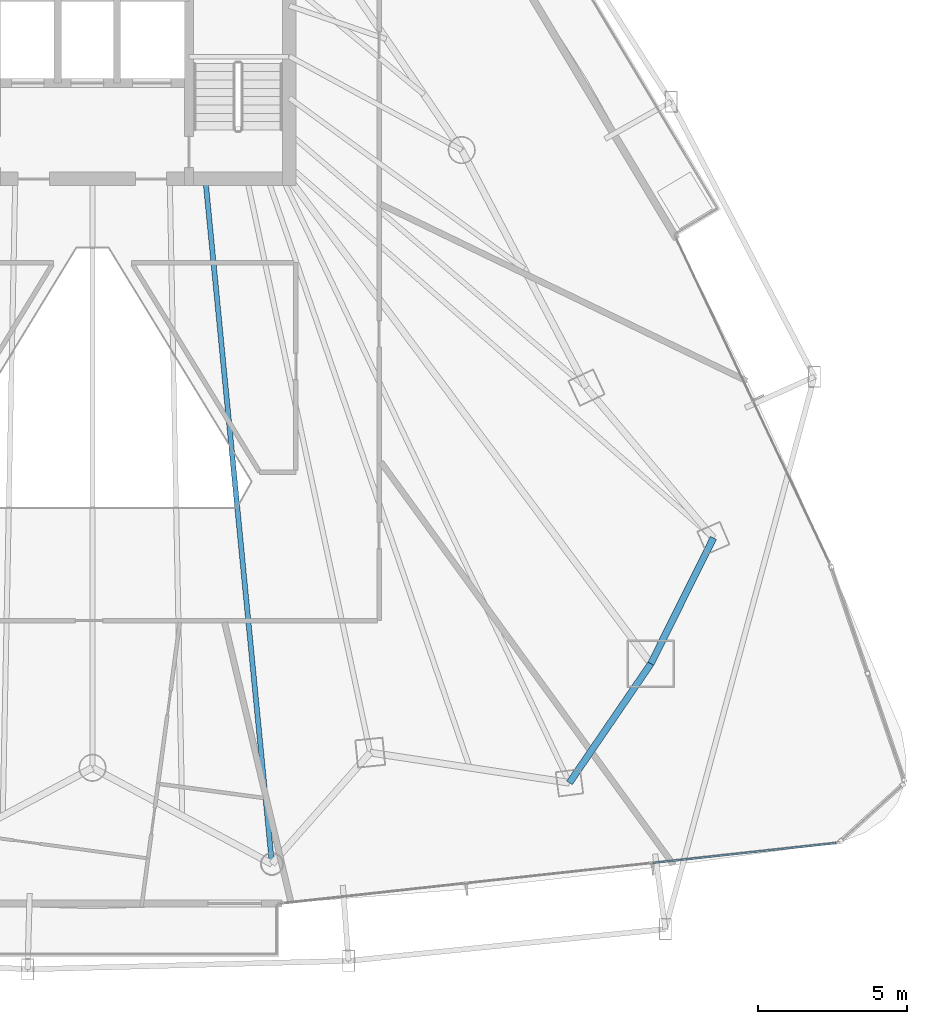
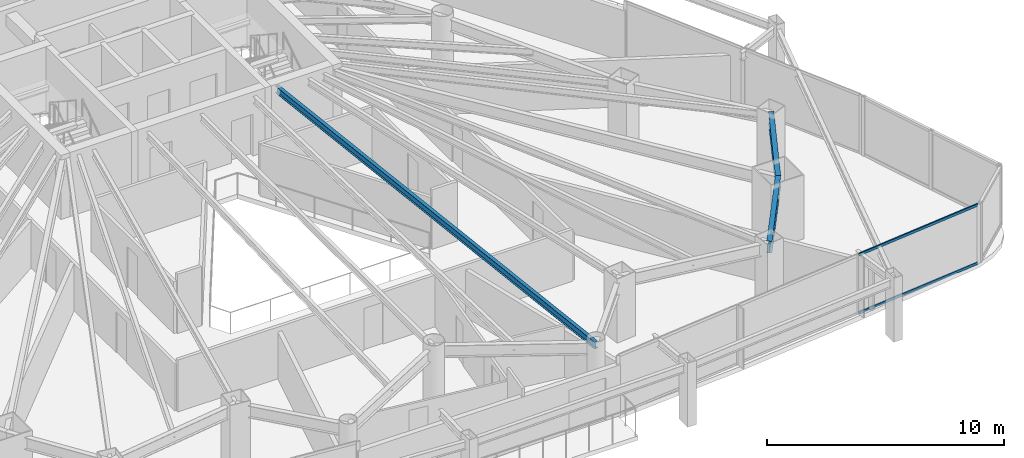
# One storey, part 14 of 33: 3 beams, 2 members, 1 element without a shape of its own.
"""IFC4 building model written with IfcOpenShell, lengths in metres."""

from ifc_helpers import new_model, si_unit, direction, frame, origin, origin_2d, place, context, subcontext, project, spatial, hollow_rectangle, i_section, extrude, material, layer, layer_set, material_profile, profile_set, type_object, element, aggregate, save


model = new_model("IFC4")

# Units and contexts
model_context = context("Model", 3, precision=1e-05, world=origin(), true_north=direction((0.0, 1.0)))
body_context = subcontext(model_context, "Body", "Model", "MODEL_VIEW")
ifc_project = project(units=[si_unit("LENGTHUNIT", "METRE"), si_unit("AREAUNIT", "SQUARE_METRE"), si_unit("VOLUMEUNIT", "CUBIC_METRE"), si_unit("PLANEANGLEUNIT", "RADIAN"), si_unit("MASSUNIT", "GRAM", prefix="KILO")], contexts=[model_context])

# Site, building, storey
site_placement = place(None, origin())
site = spatial("IfcSite", under=ifc_project, at=site_placement, CompositionType="ELEMENT")
building_placement = place(site_placement, origin())
building = spatial("IfcBuilding", under=site, at=building_placement, Name="Orvanel Arch Residences", CompositionType="ELEMENT")
storey_placement = place(building_placement, frame((0.0, 0.0, 84.050048828125)))
storey = spatial("IfcBuildingStorey", under=building, at=storey_placement, Name="L23", CompositionType="ELEMENT", Elevation=84.050048828125)

# Beams
ifc_material_1 = material(Name="Structural steel AS/NZS 3679.1 Grade 300 (300 MPa)", Category="steel")
ifc_material_profile_1 = material_profile(ifc_material_1, i_section(OverallWidth=0.1708984375, OverallDepth=0.35595703125, WebThickness=0.00732421875, FlangeThickness=0.011474609375, at=origin_2d()), Name="360UB50.7")
ifc_profile_set_1 = profile_set([ifc_material_profile_1], Name="Structural steel AS/NZS 3679.1 Grade 300 (300 MPa)")
beam_type_1 = type_object("IfcBeamType", Name="BJ-360UB", PredefinedType="JOIST", material=ifc_profile_set_1)
beam_1_placement = place(storey_placement, frame((36.800048828125, 26.675048828125, 2.8818359375), z_axis=(0.096724091756, -0.995311232768, 0.0), x_axis=(0.995311232768, 0.096724091756, 0.0)))
element("IfcBeam", 1, at=beam_1_placement, inside=storey, type_object=beam_type_1, Name="L23 LSE Wing Floor Joist", PredefinedType="JOIST", context=body_context, shape_type="SweptSolid", body=[
    extrude(i_section(OverallWidth=0.1708984375, OverallDepth=0.35595703125, WebThickness=0.00732421875, FlangeThickness=0.011474609375, at=origin_2d()), origin(), (0.0, 0.0, 1.0), 23.1787109375),
])
ifc_material_profile_2 = material_profile(ifc_material_1, i_section(OverallWidth=0.22900390625, OverallDepth=0.612060546875, WebThickness=0.011962890625, FlangeThickness=0.01953125, at=origin_2d()), Name="610UB125")
ifc_profile_set_2 = profile_set([ifc_material_profile_2], Name="Structural steel AS/NZS 3679.1 Grade 300 (300 MPa)")
beam_type_2 = type_object("IfcBeamType", Name="SP-610UB", PredefinedType="SPANDREL", material=ifc_profile_set_2)
beam_2_placement = place(storey_placement, frame((49.05908203125, 6.339111328125, 2.75390625), z_axis=(0.564251579852, 0.825602903722, 0.0), x_axis=(-0.825602903722, 0.564251579852, 0.0)))
element("IfcBeam", 2, at=beam_2_placement, inside=storey, type_object=beam_type_2, Name="L23 Perimeter Spandrel Beam 10", PredefinedType="SPANDREL", context=body_context, shape_type="SweptSolid", body=[
    extrude(i_section(OverallWidth=0.22900390625, OverallDepth=0.612060546875, WebThickness=0.011962890625, FlangeThickness=0.01953125, at=origin_2d()), origin(), (0.0, 0.0, 1.0), 4.859375),
])
beam_3_placement = place(storey_placement, frame((51.801025390625, 10.35107421875, 2.75390625), z_axis=(0.44543469453, 0.895314432425, 0.0), x_axis=(-0.895314432425, 0.44543469453, 0.0)))
element("IfcBeam", 3, at=beam_3_placement, inside=storey, type_object=beam_type_2, Name="L23 Perimeter Spandrel Beam 11", PredefinedType="SPANDREL", context=body_context, shape_type="SweptSolid", body=[
    extrude(i_section(OverallWidth=0.22900390625, OverallDepth=0.612060546875, WebThickness=0.011962890625, FlangeThickness=0.01953125, at=origin_2d()), origin(), (0.0, 0.0, 1.0), 4.723388671875),
])

# Curtain wall, members
ifc_material_2 = material(Name="Bronze-anodised aluminium AA6063-T6", Category="aluminium")
ifc_layer = layer(ifc_material_2, 0.179931640625)
ifc_layer_set = layer_set([ifc_layer], Name="Bronze-anodised aluminium AA6063-T6")
curtain_wall_type = type_object("IfcCurtainWallType", Name="CW2-LOW-SYS", PredefinedType="NOTDEFINED", material=ifc_layer_set)
curtain_wall_placement = place(storey_placement, origin())
curtain_wall = element("IfcCurtainWall", 4, at=curtain_wall_placement, inside=storey, type_object=curtain_wall_type, Name="L23 CW2-LOW-SYS Unitised Curtain Wall", PredefinedType="NOTDEFINED")
ifc_material_profile_3 = material_profile(ifc_material_2, hollow_rectangle(XDim=0.06005859375, YDim=0.135009765625, WallThickness=0.00390625, at=origin_2d()), Name="ALU135x60x4")
ifc_profile_set_3 = profile_set([ifc_material_profile_3], Name="Bronze-anodised aluminium AA6063-T6")
member_type = type_object("IfcMemberType", Name="TRN-135x60", PredefinedType="USERDEFINED", material=ifc_profile_set_3)
member_1_placement = place(storey_placement, frame((51.874755859375, 3.641845703125, 0.030029296875), z_axis=(0.994117215729, 0.108309562791, 0.0), x_axis=(-0.108309562791, 0.994117215729, 0.0)))
member_1 = element("IfcMember", 5, at=member_1_placement, type_object=member_type, Name="CW-S2 transom 3.1", ObjectType="TRANSOM", PredefinedType="USERDEFINED", context=body_context, shape_type="SweptSolid", body=[
    extrude(hollow_rectangle(XDim=0.06005859375, YDim=0.135009765625, WallThickness=0.00390625, at=origin_2d()), origin(), (0.0, 0.0, 1.0), 6.200927734375),
])
member_2_placement = place(storey_placement, frame((51.874755859375, 3.641845703125, 3.030029296875), z_axis=(0.994117215729, 0.108309562791, 0.0), x_axis=(-0.108309562791, 0.994117215729, 0.0)))
member_2 = element("IfcMember", 6, at=member_2_placement, type_object=member_type, Name="CW-S2 transom 3.2", ObjectType="TRANSOM", PredefinedType="USERDEFINED", context=body_context, shape_type="SweptSolid", body=[
    extrude(hollow_rectangle(XDim=0.06005859375, YDim=0.135009765625, WallThickness=0.00390625, at=origin_2d()), origin(), (0.0, 0.0, 1.0), 6.200927734375),
])
aggregate(curtain_wall, [member_1, member_2])

save(model, "model.ifc")
